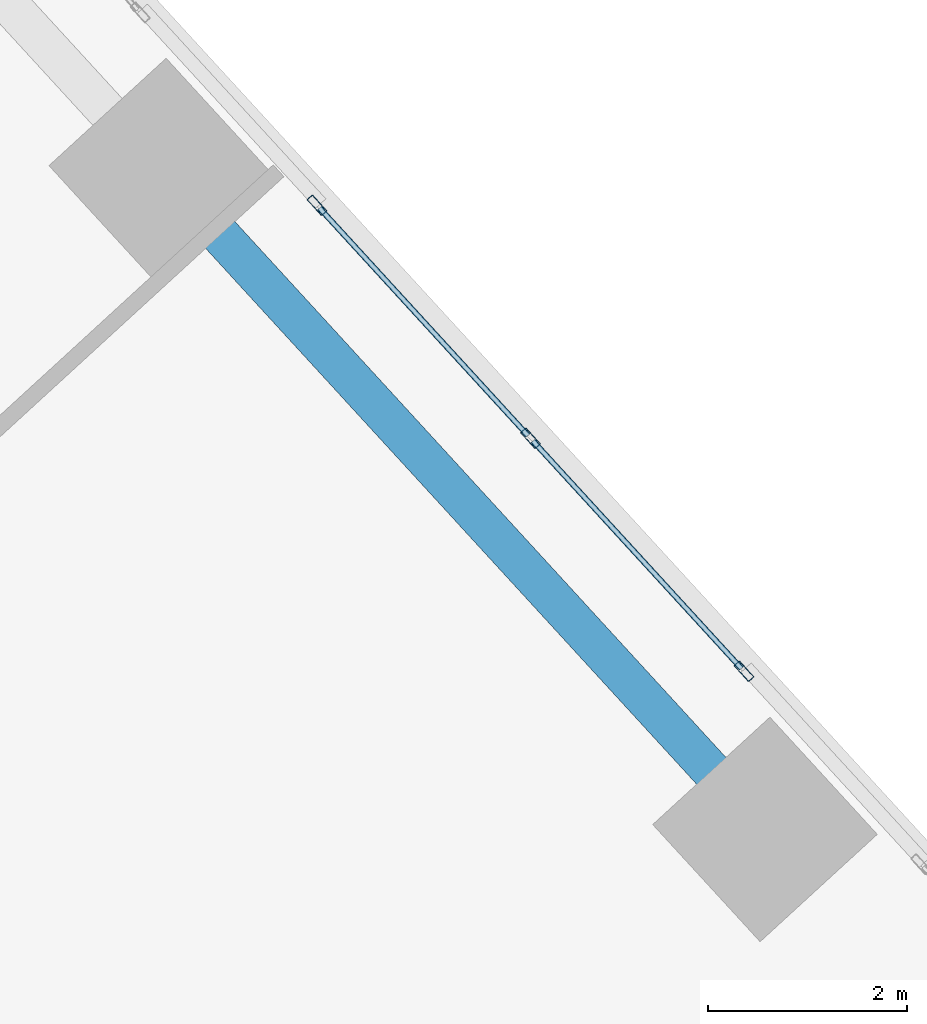
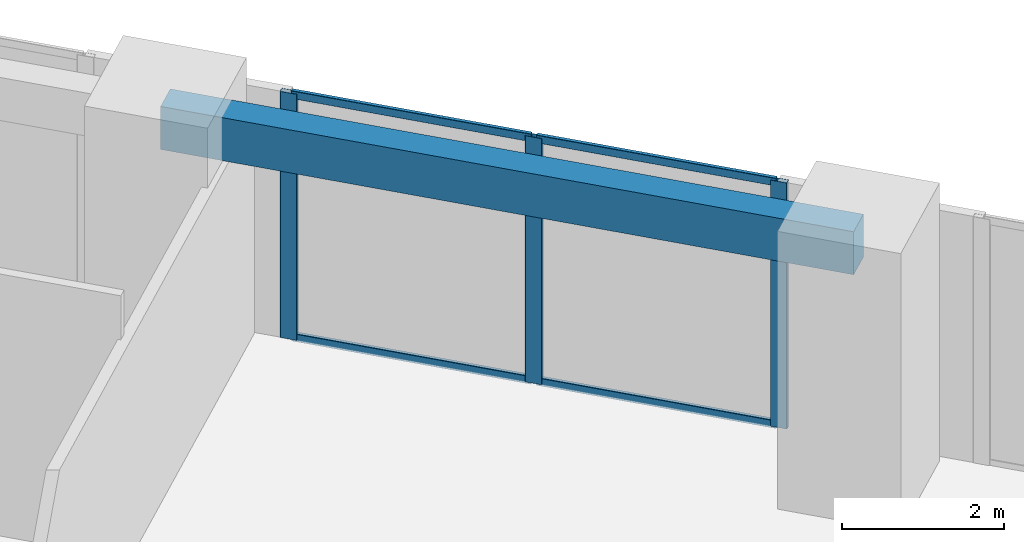
# One storey, part 7 of 16: 7 members, 1 beam, 1 element without a shape of its own.
"""IFC4 building model written with IfcOpenShell, lengths in metres."""

from ifc_helpers import new_model, si_unit, direction, frame, origin, origin_2d, place, context, subcontext, project, spatial, rectangle, hollow_rectangle, extrude, source, transform, mapped, material, material_profile, profile_set, type_object, element, aggregate, save


model = new_model("IFC4")

# Units and contexts
model_context = context("Model", 3, precision=1e-05, world=origin(), true_north=direction((0.0, 1.0)))
body_context = subcontext(model_context, "Body", "Model", "MODEL_VIEW")
ifc_project = project(units=[si_unit("LENGTHUNIT", "METRE"), si_unit("AREAUNIT", "SQUARE_METRE"), si_unit("VOLUMEUNIT", "CUBIC_METRE"), si_unit("PLANEANGLEUNIT", "RADIAN"), si_unit("MASSUNIT", "GRAM", prefix="KILO")], contexts=[model_context])

# Site, building, storey
site_placement = place(None, origin())
site = spatial("IfcSite", under=ifc_project, at=site_placement, CompositionType="ELEMENT")
building_placement = place(site_placement, origin())
building = spatial("IfcBuilding", under=site, at=building_placement, Name="Torre Montelarca", CompositionType="ELEMENT")
storey_placement = place(building_placement, frame((0.0, 0.0, 262.60009765625)))
storey = spatial("IfcBuildingStorey", under=building, at=storey_placement, Name="L59", CompositionType="ELEMENT", Elevation=262.60009765625)

# Beam
ifc_material_1 = material(Name="Concrete C40/50", Category="concrete")
ifc_material_profile_1 = material_profile(ifc_material_1, rectangle(XDim=0.39990234375, YDim=0.64990234375, at=origin_2d()), Name="RCB400X650", Category="concrete")
ifc_profile_set_1 = profile_set([ifc_material_profile_1], Name="Concrete C40/50")
beam_type = type_object("IfcBeamType", Name="BM-SP-RC650-EXT", PredefinedType="SPANDREL", material=ifc_profile_set_1)
shared_shape_1 = source(origin(), body_context, "Body", "SweptSolid", [
    extrude(rectangle(XDim=0.39990234375, YDim=0.64990234375, at=origin_2d()), origin(), (0.0, 0.0, 1.0), 9.0),
])
beam_placement = place(storey_placement, frame((36.385498046875, 38.18017578125, 3.635009765625), z_axis=(0.675590724023, -0.73727686361, 0.0), x_axis=(0.73727686361, 0.675590724023, 0.0)))
element("IfcBeam", 1, at=beam_placement, inside=storey, type_object=beam_type, Name="L59 Grid Girder X 27.0-36.0 at Y=47.1", PredefinedType="SPANDREL", context=body_context, shape_type="MappedRepresentation", body=[
    mapped(shared_shape_1, transform((0.0, 0.0, 0.0), scale=1.0)),
])

# Curtain wall, members
ifc_material_2 = material(Name="Insulated low-E laminated glass", Category="glass")
curtain_wall_type = type_object("IfcCurtainWallType", Name="CW-SYS-Z3", PredefinedType="USERDEFINED", material=ifc_material_2)
curtain_wall_placement = place(storey_placement, origin())
curtain_wall = element("IfcCurtainWall", 2, at=curtain_wall_placement, inside=storey, type_object=curtain_wall_type, Name="L59 Curtain Wall Run CW-T3-L59-E08-B2", ObjectType="UNITISED GLAZING", PredefinedType="USERDEFINED")
ifc_material_3 = material(Name="Anodised aluminium AA 6063-T6", Category="aluminium")
ifc_material_profile_2 = material_profile(ifc_material_3, hollow_rectangle(XDim=0.074951171875, YDim=0.219970703125, WallThickness=0.0048828125, InnerFilletRadius=0.0048828125, OuterFilletRadius=0.010009765625, at=origin_2d()), Name="ALU75X220X5", Category="aluminium")
ifc_profile_set_2 = profile_set([ifc_material_profile_2], Name="Anodised aluminium AA 6063-T6")
member_type_1 = type_object("IfcMemberType", Name="CWM-ALU220", PredefinedType="MULLION", material=ifc_profile_set_2)
shared_shape_2 = source(origin(), body_context, "Body", "SweptSolid", [
    extrude(hollow_rectangle(XDim=0.074951171875, YDim=0.219970703125, WallThickness=0.0048828125, InnerFilletRadius=0.0048828125, OuterFilletRadius=0.010009765625, at=origin_2d()), origin(), (0.0, 0.0, 1.0), 3.719970703125),
])
member_1_placement = place(storey_placement, frame((42.25390625, 33.137451171875, 0.0), z_axis=(0.0, 0.0, 1.0), x_axis=(-0.737279815472, -0.675587502621, 0.0)))
member_1 = element("IfcMember", 3, at=member_1_placement, type_object=member_type_1, Name="CW mullion 1", PredefinedType="MULLION", context=body_context, shape_type="MappedRepresentation", body=[
    mapped(shared_shape_2, transform((0.0, 0.0, 0.0), scale=1.0)),
])
member_2_placement = place(storey_placement, frame((40.10400390625, 35.48388671875, 0.0), z_axis=(0.0, 0.0, 1.0), x_axis=(-0.737279815472, -0.675587502621, 0.0)))
member_2 = element("IfcMember", 4, at=member_2_placement, type_object=member_type_1, Name="CW mullion 2", PredefinedType="MULLION", context=body_context, shape_type="MappedRepresentation", body=[
    mapped(shared_shape_2, transform((0.0, 0.0, 0.0), scale=1.0)),
])
member_3_placement = place(storey_placement, frame((37.953857421875, 37.830322265625, 0.0), z_axis=(0.0, 0.0, 1.0), x_axis=(-0.737279815472, -0.675587502621, 0.0)))
member_3 = element("IfcMember", 5, at=member_3_placement, type_object=member_type_1, Name="CW mullion 3", PredefinedType="MULLION", context=body_context, shape_type="MappedRepresentation", body=[
    mapped(shared_shape_2, transform((0.0, 0.0, 0.0), scale=1.0)),
])
ifc_material_profile_3 = material_profile(ifc_material_3, hollow_rectangle(XDim=0.054931640625, YDim=0.1201171875, WallThickness=0.00341796875, InnerFilletRadius=0.00341796875, OuterFilletRadius=0.007080078125, at=origin_2d()), Name="ALU55X120X3.5", Category="aluminium")
ifc_profile_set_3 = profile_set([ifc_material_profile_3], Name="Anodised aluminium AA 6063-T6")
member_type_2 = type_object("IfcMemberType", Name="CWT-ALU120", PredefinedType="USERDEFINED", material=ifc_profile_set_3)
shared_shape_3 = source(origin(), body_context, "Body", "SweptSolid", [
    extrude(hollow_rectangle(XDim=0.054931640625, YDim=0.1201171875, WallThickness=0.00341796875, InnerFilletRadius=0.00341796875, OuterFilletRadius=0.007080078125, at=origin_2d()), origin(), (0.0, 0.0, 1.0), 3.107421875),
])
member_4_placement = place(storey_placement, frame((42.228515625, 33.165283203125, 0.02734375), z_axis=(-0.675596539491, 0.737271534665, 0.0), x_axis=(-0.737271534665, -0.675596539491, 0.0)))
member_4 = element("IfcMember", 6, at=member_4_placement, type_object=member_type_2, Name="CW transom 1.1", ObjectType="TRANSOM", PredefinedType="USERDEFINED", context=body_context, shape_type="MappedRepresentation", body=[
    mapped(shared_shape_3, transform((0.0, 0.0, 0.0), scale=1.0)),
])
member_5_placement = place(storey_placement, frame((42.228515625, 33.165283203125, 3.6923828125), z_axis=(-0.675596539491, 0.737271534665, 0.0), x_axis=(-0.737271534665, -0.675596539491, 0.0)))
member_5 = element("IfcMember", 7, at=member_5_placement, type_object=member_type_2, Name="CW transom 1.2", ObjectType="TRANSOM", PredefinedType="USERDEFINED", context=body_context, shape_type="MappedRepresentation", body=[
    mapped(shared_shape_3, transform((0.0, 0.0, 0.0), scale=1.0)),
])
member_6_placement = place(storey_placement, frame((40.07861328125, 35.51171875, 0.02734375), z_axis=(-0.675596539491, 0.737271534665, 0.0), x_axis=(-0.737271534665, -0.675596539491, 0.0)))
member_6 = element("IfcMember", 8, at=member_6_placement, type_object=member_type_2, Name="CW transom 2.1", ObjectType="TRANSOM", PredefinedType="USERDEFINED", context=body_context, shape_type="MappedRepresentation", body=[
    mapped(shared_shape_3, transform((0.0, 0.0, 0.0), scale=1.0)),
])
member_7_placement = place(storey_placement, frame((40.07861328125, 35.51171875, 3.6923828125), z_axis=(-0.675596539491, 0.737271534665, 0.0), x_axis=(-0.737271534665, -0.675596539491, 0.0)))
member_7 = element("IfcMember", 9, at=member_7_placement, type_object=member_type_2, Name="CW transom 2.2", ObjectType="TRANSOM", PredefinedType="USERDEFINED", context=body_context, shape_type="MappedRepresentation", body=[
    mapped(shared_shape_3, transform((0.0, 0.0, 0.0), scale=1.0)),
])
aggregate(curtain_wall, [member_1, member_2, member_3, member_4, member_5, member_6, member_7])

save(model, "model.ifc")
